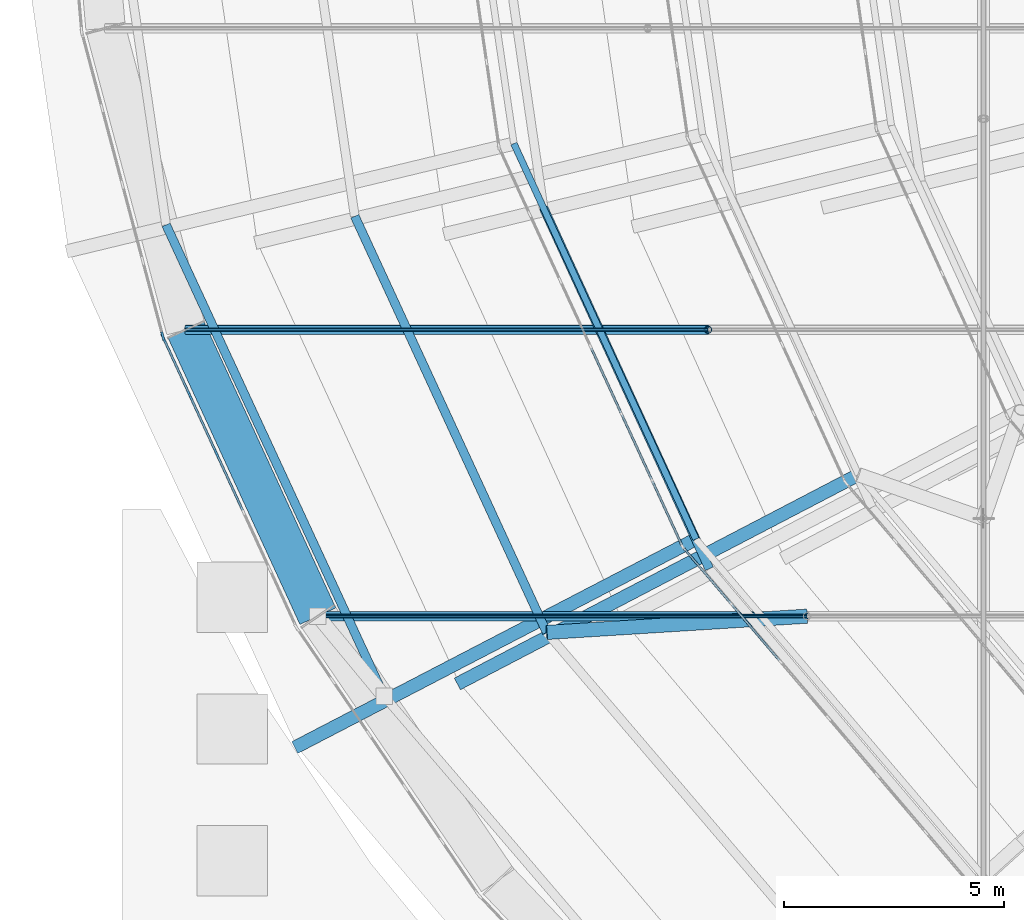
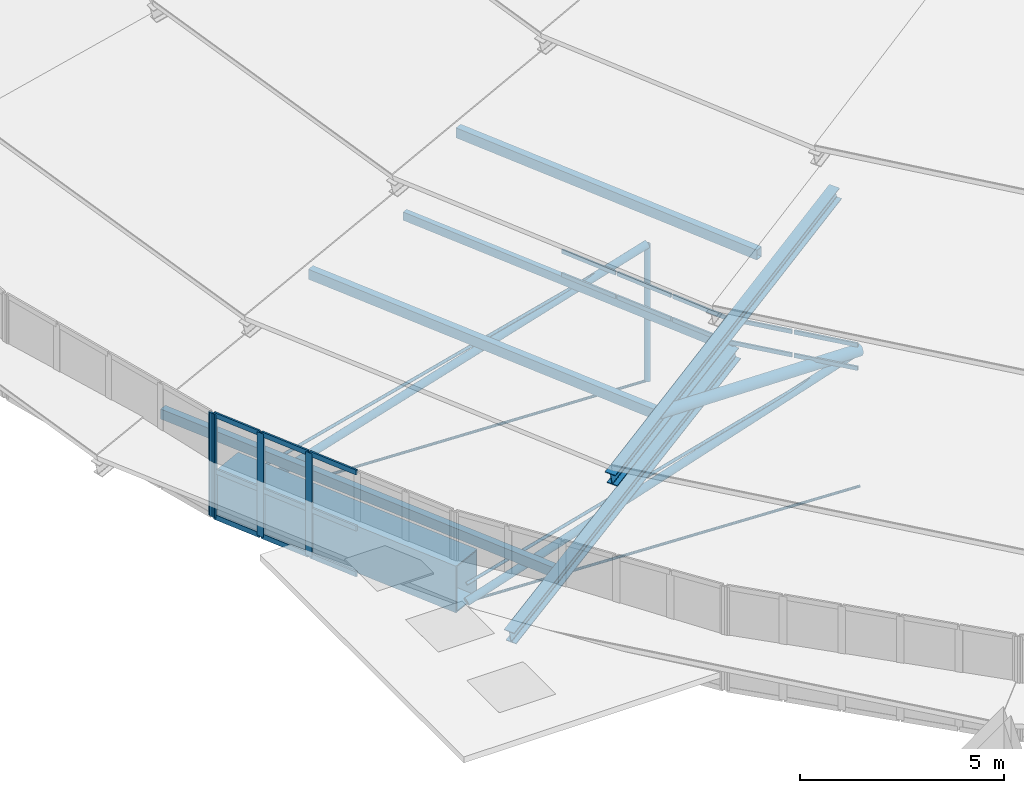
# One storey, part 4 of 173: 37 members, 1 beam, 4 elements without a shape of their own.
"""IFC4 building model written with IfcOpenShell, lengths in metres."""

from ifc_helpers import new_model, si_unit, direction, frame, origin, origin_2d, place, context, subcontext, project, spatial, rectangle, hollow_rectangle, circle, hollow_circle, i_section, extrude, material, material_profile, profile_set, type_object, element, aggregate, save


model = new_model("IFC4")

# Units and contexts
model_context = context("Model", 3, precision=1e-05, world=origin(), true_north=direction((0.0, 1.0)))
body_context = subcontext(model_context, "Body", "Model", "MODEL_VIEW")
ifc_project = project(units=[si_unit("LENGTHUNIT", "METRE"), si_unit("AREAUNIT", "SQUARE_METRE"), si_unit("VOLUMEUNIT", "CUBIC_METRE"), si_unit("PLANEANGLEUNIT", "RADIAN"), si_unit("MASSUNIT", "GRAM", prefix="KILO")], contexts=[model_context])

# Site, building, storey
site_placement = place(None, origin())
site = spatial("IfcSite", under=ifc_project, at=site_placement, CompositionType="ELEMENT")
building_placement = place(site_placement, origin())
building = spatial("IfcBuilding", under=site, at=building_placement, Name="Glasvene Arena", CompositionType="ELEMENT")
storey_placement = place(building_placement, frame((0.0, 0.0, 28.800048828125)))
storey = spatial("IfcBuildingStorey", under=building, at=storey_placement, Name="RF", CompositionType="ELEMENT", Elevation=28.800048828125)

# Beam
ifc_material_1 = material(Name="Steel S355J2", Category="steel")
ifc_material_profile_1 = material_profile(ifc_material_1, hollow_rectangle(XDim=0.89990234375, YDim=1.39990234375, WallThickness=0.034912109375, at=origin_2d()), Name="WBOX 900x1400x35")
ifc_profile_set_1 = profile_set([ifc_material_profile_1], Name="Steel S355J2")
beam_type = type_object("IfcBeamType", Name="BM-RING-BOX1400", PredefinedType="USERDEFINED", material=ifc_profile_set_1)
beam_placement = place(storey_placement, frame((44.447265625, 59.09423828125, -0.699951171875), z_axis=(0.418070582056, -0.908414546569, 0.0), x_axis=(0.908414546569, 0.418070582056, 0.0)))
element("IfcBeam", 1, at=beam_placement, inside=storey, type_object=beam_type, Name="Compression ring beam chord RB-23", ObjectType="RING BEAM", PredefinedType="USERDEFINED", context=body_context, shape_type="SweptSolid", body=[
    extrude(hollow_rectangle(XDim=0.89990234375, YDim=1.39990234375, WallThickness=0.034912109375, at=origin_2d()), origin(), (0.0, 0.0, 1.0), 7.181640625),
])

# Curtain wall, member
ifc_material_2 = material(Name="Low-emissivity laminated double glazing", Category="glass")
curtain_wall_type_1 = type_object("IfcCurtainWallType", Name="CW-DRUM-719x310", PredefinedType="USERDEFINED", material=ifc_material_2)
curtain_wall_1_placement = place(storey_placement, frame((42.072509765625, 65.87451171875, 0.0)))
curtain_wall_1 = element("IfcCurtainWall", 2, at=curtain_wall_1_placement, inside=storey, type_object=curtain_wall_type_1, Name="Crown compression-ring fascia curtain wall 22", ObjectType="CURTAIN WALL", PredefinedType="USERDEFINED")
ifc_material_3 = material(Name="Anodised architectural aluminium", Category="aluminium")
ifc_material_profile_2 = material_profile(ifc_material_3, rectangle(XDim=0.050048828125, YDim=0.199951171875, at=origin_2d()), Name="ALU MULLION 50x200")
ifc_profile_set_2 = profile_set([ifc_material_profile_2], Name="Anodised architectural aluminium")
member_type_1 = type_object("IfcMemberType", Name="CW-MUL-180", PredefinedType="MULLION", material=ifc_profile_set_2)
member_1_placement = place(storey_placement, frame((43.917724609375, 58.948486328125, -1.380126953125), z_axis=(0.0, 0.0, 1.0), x_axis=(0.966292374807, 0.257447172039, 0.0)))
member_1 = element("IfcMember", 3, at=member_1_placement, type_object=member_type_1, Name="CW-072 mullion 5", PredefinedType="MULLION", context=body_context, shape_type="SweptSolid", body=[
    extrude(rectangle(XDim=0.050048828125, YDim=0.199951171875, at=origin_2d()), origin(), (0.0, 0.0, 1.0), 3.10009765625),
])
aggregate(curtain_wall_1, [member_1])

# Curtain wall, members
curtain_wall_type_2 = type_object("IfcCurtainWallType", Name="CW-DRUM-727x310", PredefinedType="USERDEFINED", material=ifc_material_2)
curtain_wall_2_placement = place(storey_placement, frame((43.924072265625, 58.92431640625, 0.0)))
curtain_wall_2 = element("IfcCurtainWall", 4, at=curtain_wall_2_placement, inside=storey, type_object=curtain_wall_type_2, Name="Crown compression-ring fascia curtain wall 23", ObjectType="CURTAIN WALL", PredefinedType="USERDEFINED")
member_2_placement = place(storey_placement, frame((43.9345703125, 58.901611328125, -1.380126953125), z_axis=(0.0, 0.0, 1.0), x_axis=(0.908603046232, 0.417660752738, 0.0)))
member_2 = element("IfcMember", 5, at=member_2_placement, type_object=member_type_1, Name="CW-073 mullion 1", PredefinedType="MULLION", context=body_context, shape_type="SweptSolid", body=[
    extrude(rectangle(XDim=0.050048828125, YDim=0.199951171875, at=origin_2d()), origin(), (0.0, 0.0, 1.0), 3.10009765625),
])
member_3_placement = place(storey_placement, frame((44.53125, 57.603515625, -1.380126953125), z_axis=(0.0, 0.0, 1.0), x_axis=(0.908603046232, 0.417660752738, 0.0)))
member_3 = element("IfcMember", 6, at=member_3_placement, type_object=member_type_1, Name="CW-073 mullion 2", PredefinedType="MULLION", context=body_context, shape_type="SweptSolid", body=[
    extrude(rectangle(XDim=0.050048828125, YDim=0.199951171875, at=origin_2d()), origin(), (0.0, 0.0, 1.0), 3.10009765625),
])
member_4_placement = place(storey_placement, frame((45.13818359375, 56.282958984375, -1.380126953125), z_axis=(0.0, 0.0, 1.0), x_axis=(0.908603046232, 0.417660752738, 0.0)))
member_4 = element("IfcMember", 7, at=member_4_placement, type_object=member_type_1, Name="CW-073 mullion 3", PredefinedType="MULLION", context=body_context, shape_type="SweptSolid", body=[
    extrude(rectangle(XDim=0.050048828125, YDim=0.199951171875, at=origin_2d()), origin(), (0.0, 0.0, 1.0), 3.10009765625),
])

curtain_wall_type_3 = type_object("IfcCurtainWallType", Name="CW-PET1-1001x75", PredefinedType="USERDEFINED", material=ifc_material_2)
curtain_wall_3_placement = place(storey_placement, frame((51.575927734375, 63.242431640625, 0.0)))
curtain_wall_3 = element("IfcCurtainWall", 8, at=curtain_wall_3_placement, inside=storey, type_object=curtain_wall_type_3, Name="Petal ring 1-2 clerestory curtain wall 14", ObjectType="CURTAIN WALL", PredefinedType="USERDEFINED")
ifc_material_profile_3 = material_profile(ifc_material_3, rectangle(XDim=0.050048828125, YDim=0.1201171875, at=origin_2d()), Name="ALU TRANSOM 50x120")
ifc_profile_set_3 = profile_set([ifc_material_profile_3], Name="Anodised architectural aluminium")
member_type_2 = type_object("IfcMemberType", Name="CW-TRN-120", PredefinedType="USERDEFINED", material=ifc_profile_set_3)
member_5_placement = place(storey_placement, frame((53.6767578125, 58.673583984375, 2.60498046875), z_axis=(0.417823409802, -0.908528259451, 0.0), x_axis=(0.908528259451, 0.417823409802, 0.0)))
member_5 = element("IfcMember", 9, at=member_5_placement, type_object=member_type_2, Name="CW-082 transom 4.1", ObjectType="TRANSOM", PredefinedType="USERDEFINED", context=body_context, shape_type="SweptSolid", body=[
    extrude(rectangle(XDim=0.050048828125, YDim=0.1201171875, at=origin_2d()), origin(), (0.0, 0.0, 1.0), 1.617919921875),
])
member_6_placement = place(storey_placement, frame((53.6767578125, 58.673583984375, 3.304931640625), z_axis=(0.417823409802, -0.908528259451, 0.0), x_axis=(0.908528259451, 0.417823409802, 0.0)))
member_6 = element("IfcMember", 10, at=member_6_placement, type_object=member_type_2, Name="CW-082 transom 4.2", ObjectType="TRANSOM", PredefinedType="USERDEFINED", context=body_context, shape_type="SweptSolid", body=[
    extrude(rectangle(XDim=0.050048828125, YDim=0.1201171875, at=origin_2d()), origin(), (0.0, 0.0, 1.0), 1.617919921875),
])
member_7_placement = place(storey_placement, frame((54.37353515625, 57.158203125, 2.60498046875), z_axis=(0.417823409802, -0.908528259451, 0.0), x_axis=(0.908528259451, 0.417823409802, 0.0)))
member_7 = element("IfcMember", 11, at=member_7_placement, type_object=member_type_2, Name="CW-082 transom 5.1", ObjectType="TRANSOM", PredefinedType="USERDEFINED", context=body_context, shape_type="SweptSolid", body=[
    extrude(rectangle(XDim=0.050048828125, YDim=0.1201171875, at=origin_2d()), origin(), (0.0, 0.0, 1.0), 1.617919921875),
])
member_8_placement = place(storey_placement, frame((54.37353515625, 57.158203125, 3.304931640625), z_axis=(0.417823409802, -0.908528259451, 0.0), x_axis=(0.908528259451, 0.417823409802, 0.0)))
member_8 = element("IfcMember", 12, at=member_8_placement, type_object=member_type_2, Name="CW-082 transom 5.2", ObjectType="TRANSOM", PredefinedType="USERDEFINED", context=body_context, shape_type="SweptSolid", body=[
    extrude(rectangle(XDim=0.050048828125, YDim=0.1201171875, at=origin_2d()), origin(), (0.0, 0.0, 1.0), 1.617919921875),
])
member_9_placement = place(storey_placement, frame((55.070556640625, 55.642822265625, 2.60498046875), z_axis=(0.41760960728, -0.908626554701, 0.0), x_axis=(0.908626554701, 0.41760960728, 0.0)))
member_9 = element("IfcMember", 13, at=member_9_placement, type_object=member_type_2, Name="CW-082 transom 6.1", ObjectType="TRANSOM", PredefinedType="USERDEFINED", context=body_context, shape_type="SweptSolid", body=[
    extrude(rectangle(XDim=0.050048828125, YDim=0.1201171875, at=origin_2d()), origin(), (0.0, 0.0, 1.0), 1.593017578125),
])
member_10_placement = place(storey_placement, frame((55.070556640625, 55.642822265625, 3.304931640625), z_axis=(0.41760960728, -0.908626554701, 0.0), x_axis=(0.908626554701, 0.41760960728, 0.0)))
member_10 = element("IfcMember", 14, at=member_10_placement, type_object=member_type_2, Name="CW-082 transom 6.2", ObjectType="TRANSOM", PredefinedType="USERDEFINED", context=body_context, shape_type="SweptSolid", body=[
    extrude(rectangle(XDim=0.050048828125, YDim=0.1201171875, at=origin_2d()), origin(), (0.0, 0.0, 1.0), 1.593017578125),
])
aggregate(curtain_wall_3, [member_5, member_6, member_7, member_8, member_9, member_10])

curtain_wall_type_4 = type_object("IfcCurtainWallType", Name="CW-PET1-1026x75", PredefinedType="USERDEFINED", material=ifc_material_2)
curtain_wall_4_placement = place(storey_placement, frame((55.7568359375, 54.14990234375, 0.0)))
curtain_wall_4 = element("IfcCurtainWall", 15, at=curtain_wall_4_placement, inside=storey, type_object=curtain_wall_type_4, Name="Petal ring 1-2 clerestory curtain wall 15", ObjectType="CURTAIN WALL", PredefinedType="USERDEFINED")
member_11_placement = place(storey_placement, frame((55.789306640625, 54.11181640625, 2.60498046875), z_axis=(0.648463249482, -0.761245961613, 0.0), x_axis=(0.761245961613, 0.648463249482, 0.0)))
member_11 = element("IfcMember", 16, at=member_11_placement, type_object=member_type_2, Name="CW-083 transom 1.1", ObjectType="TRANSOM", PredefinedType="USERDEFINED", context=body_context, shape_type="SweptSolid", body=[
    extrude(rectangle(XDim=0.050048828125, YDim=0.1201171875, at=origin_2d()), origin(), (0.0, 0.0, 1.0), 1.63427734375),
])
member_12_placement = place(storey_placement, frame((55.789306640625, 54.11181640625, 3.304931640625), z_axis=(0.648463249482, -0.761245961613, 0.0), x_axis=(0.761245961613, 0.648463249482, 0.0)))
member_12 = element("IfcMember", 17, at=member_12_placement, type_object=member_type_2, Name="CW-083 transom 1.2", ObjectType="TRANSOM", PredefinedType="USERDEFINED", context=body_context, shape_type="SweptSolid", body=[
    extrude(rectangle(XDim=0.050048828125, YDim=0.1201171875, at=origin_2d()), origin(), (0.0, 0.0, 1.0), 1.63427734375),
])
member_13_placement = place(storey_placement, frame((56.881591796875, 52.82958984375, 2.60498046875), z_axis=(0.648425401794, -0.761278200337, 0.0), x_axis=(0.761278200337, 0.648425401794, 0.0)))
member_13 = element("IfcMember", 18, at=member_13_placement, type_object=member_type_2, Name="CW-083 transom 2.1", ObjectType="TRANSOM", PredefinedType="USERDEFINED", context=body_context, shape_type="SweptSolid", body=[
    extrude(rectangle(XDim=0.050048828125, YDim=0.1201171875, at=origin_2d()), origin(), (0.0, 0.0, 1.0), 1.6591796875),
])
member_14_placement = place(storey_placement, frame((56.881591796875, 52.82958984375, 3.304931640625), z_axis=(0.648425401794, -0.761278200337, 0.0), x_axis=(0.761278200337, 0.648425401794, 0.0)))
member_14 = element("IfcMember", 19, at=member_14_placement, type_object=member_type_2, Name="CW-083 transom 2.2", ObjectType="TRANSOM", PredefinedType="USERDEFINED", context=body_context, shape_type="SweptSolid", body=[
    extrude(rectangle(XDim=0.050048828125, YDim=0.1201171875, at=origin_2d()), origin(), (0.0, 0.0, 1.0), 1.6591796875),
])
aggregate(curtain_wall_4, [member_11, member_12, member_13, member_14])

# Member
ifc_material_profile_4 = material_profile(ifc_material_3, rectangle(XDim=0.050048828125, YDim=0.14990234375, at=origin_2d()), Name="ALU TRANSOM 50x150")
ifc_profile_set_4 = profile_set([ifc_material_profile_4], Name="Anodised architectural aluminium")
member_type_3 = type_object("IfcMemberType", Name="CW-TRN-150", PredefinedType="USERDEFINED", material=ifc_profile_set_4)
member_15_placement = place(storey_placement, frame((43.945068359375, 58.87890625, -1.35498046875), z_axis=(0.417575256607, -0.908642341667, 0.0), x_axis=(0.908642341667, 0.417575256607, 0.0)))
member_15 = element("IfcMember", 20, at=member_15_placement, type_object=member_type_3, Name="CW-073 transom 1.1", ObjectType="TRANSOM", PredefinedType="USERDEFINED", context=body_context, shape_type="SweptSolid", body=[
    extrude(rectangle(XDim=0.050048828125, YDim=0.14990234375, at=origin_2d()), origin(), (0.0, 0.0, 1.0), 1.378662109375),
])

member_16_placement = place(storey_placement, frame((43.945068359375, 58.87890625, 0.02001953125), z_axis=(0.417575256607, -0.908642341667, 0.0), x_axis=(0.908642341667, 0.417575256607, 0.0)))
member_16 = element("IfcMember", 21, at=member_16_placement, type_object=member_type_3, Name="CW-073 transom 1.2", ObjectType="TRANSOM", PredefinedType="USERDEFINED", context=body_context, shape_type="SweptSolid", body=[
    extrude(rectangle(XDim=0.050048828125, YDim=0.14990234375, at=origin_2d()), origin(), (0.0, 0.0, 1.0), 1.378662109375),
])

member_17_placement = place(storey_placement, frame((43.945068359375, 58.87890625, 1.695068359375), z_axis=(0.417575256607, -0.908642341667, 0.0), x_axis=(0.908642341667, 0.417575256607, 0.0)))
member_17 = element("IfcMember", 22, at=member_17_placement, type_object=member_type_3, Name="CW-073 transom 1.3", ObjectType="TRANSOM", PredefinedType="USERDEFINED", context=body_context, shape_type="SweptSolid", body=[
    extrude(rectangle(XDim=0.050048828125, YDim=0.14990234375, at=origin_2d()), origin(), (0.0, 0.0, 1.0), 1.378662109375),
])

member_18_placement = place(storey_placement, frame((44.541748046875, 57.580810546875, -1.35498046875), z_axis=(0.417678740372, -0.908594777578, 0.0), x_axis=(0.908594777578, 0.417678740372, 0.0)))
member_18 = element("IfcMember", 23, at=member_18_placement, type_object=member_type_3, Name="CW-073 transom 2.1", ObjectType="TRANSOM", PredefinedType="USERDEFINED", context=body_context, shape_type="SweptSolid", body=[
    extrude(rectangle(XDim=0.050048828125, YDim=0.14990234375, at=origin_2d()), origin(), (0.0, 0.0, 1.0), 1.4033203125),
])

member_19_placement = place(storey_placement, frame((44.541748046875, 57.580810546875, 0.02001953125), z_axis=(0.417678740372, -0.908594777578, 0.0), x_axis=(0.908594777578, 0.417678740372, 0.0)))
member_19 = element("IfcMember", 24, at=member_19_placement, type_object=member_type_3, Name="CW-073 transom 2.2", ObjectType="TRANSOM", PredefinedType="USERDEFINED", context=body_context, shape_type="SweptSolid", body=[
    extrude(rectangle(XDim=0.050048828125, YDim=0.14990234375, at=origin_2d()), origin(), (0.0, 0.0, 1.0), 1.4033203125),
])

member_20_placement = place(storey_placement, frame((44.541748046875, 57.580810546875, 1.695068359375), z_axis=(0.417678740372, -0.908594777578, 0.0), x_axis=(0.908594777578, 0.417678740372, 0.0)))
member_20 = element("IfcMember", 25, at=member_20_placement, type_object=member_type_3, Name="CW-073 transom 2.3", ObjectType="TRANSOM", PredefinedType="USERDEFINED", context=body_context, shape_type="SweptSolid", body=[
    extrude(rectangle(XDim=0.050048828125, YDim=0.14990234375, at=origin_2d()), origin(), (0.0, 0.0, 1.0), 1.4033203125),
])

member_21_placement = place(storey_placement, frame((45.148681640625, 56.26025390625, -1.35498046875), z_axis=(0.417612731634, -0.908625118724, 0.0), x_axis=(0.908625118724, 0.417612731634, 0.0)))
member_21 = element("IfcMember", 26, at=member_21_placement, type_object=member_type_3, Name="CW-073 transom 3.1", ObjectType="TRANSOM", PredefinedType="USERDEFINED", context=body_context, shape_type="SweptSolid", body=[
    extrude(rectangle(XDim=0.050048828125, YDim=0.14990234375, at=origin_2d()), origin(), (0.0, 0.0, 1.0), 1.403564453125),
])

member_22_placement = place(storey_placement, frame((45.148681640625, 56.26025390625, 0.02001953125), z_axis=(0.417612731634, -0.908625118724, 0.0), x_axis=(0.908625118724, 0.417612731634, 0.0)))
member_22 = element("IfcMember", 27, at=member_22_placement, type_object=member_type_3, Name="CW-073 transom 3.2", ObjectType="TRANSOM", PredefinedType="USERDEFINED", context=body_context, shape_type="SweptSolid", body=[
    extrude(rectangle(XDim=0.050048828125, YDim=0.14990234375, at=origin_2d()), origin(), (0.0, 0.0, 1.0), 1.403564453125),
])

member_23_placement = place(storey_placement, frame((45.148681640625, 56.26025390625, 1.695068359375), z_axis=(0.417612731634, -0.908625118724, 0.0), x_axis=(0.908625118724, 0.417612731634, 0.0)))
member_23 = element("IfcMember", 28, at=member_23_placement, type_object=member_type_3, Name="CW-073 transom 3.3", ObjectType="TRANSOM", PredefinedType="USERDEFINED", context=body_context, shape_type="SweptSolid", body=[
    extrude(rectangle(XDim=0.050048828125, YDim=0.14990234375, at=origin_2d()), origin(), (0.0, 0.0, 1.0), 1.403564453125),
])

aggregate(curtain_wall_2, [member_2, member_3, member_4, member_15, member_16, member_17, member_18, member_19, member_20, member_21, member_22, member_23])

# Members
ifc_material_4 = material(Name="High-strength steel spiral strand S460", Category="steel")
ifc_material_profile_5 = material_profile(ifc_material_4, circle(Radius=0.03759765625, at=origin_2d()), Name="LCSS D75")
ifc_profile_set_5 = profile_set([ifc_material_profile_5], Name="High-strength steel spiral strand S460")
member_type_4 = type_object("IfcMemberType", Name="MB-CABLE-75", PredefinedType="USERDEFINED", material=ifc_profile_set_5)
member_24_placement = place(storey_placement, frame((47.44970703125, 52.5703125, -1.320068359375), z_axis=(0.999244778277, 0.0, -0.038857085416), x_axis=(0.0, 1.0, 0.0)))
element("IfcMember", 29, at=member_24_placement, inside=storey, type_object=member_type_4, Name="Lower stabilization roof cable EW01-01", ObjectType="ROOF CABLE", PredefinedType="USERDEFINED", context=body_context, shape_type="SweptSolid", body=[
    extrude(circle(Radius=0.03759765625, at=origin_2d()), origin(), (0.0, 0.0, 1.0), 11.14599609375),
])
member_25_placement = place(storey_placement, frame((44.447265625, 59.09423828125, -1.320068359375), z_axis=(0.999337029386, 0.0, -0.036407440139), x_axis=(0.0, 1.0, 0.0)))
element("IfcMember", 30, at=member_25_placement, inside=storey, type_object=member_type_4, Name="Lower stabilization roof cable EW02-01", ObjectType="ROOF CABLE", PredefinedType="USERDEFINED", context=body_context, shape_type="SweptSolid", body=[
    extrude(circle(Radius=0.03759765625, at=origin_2d()), origin(), (0.0, 0.0, 1.0), 11.89599609375),
])
ifc_material_profile_6 = material_profile(ifc_material_4, circle(Radius=0.044921875, at=origin_2d()), Name="LCSS D90")
ifc_profile_set_6 = profile_set([ifc_material_profile_6], Name="High-strength steel spiral strand S460")
member_type_5 = type_object("IfcMemberType", Name="MB-CABLE-90", PredefinedType="USERDEFINED", material=ifc_profile_set_6)
member_26_placement = place(storey_placement, frame((47.44970703125, 52.5703125, -0.780029296875), z_axis=(0.96318079064, 0.0, 0.268854541605), x_axis=(0.0, 1.0, 0.0)))
element("IfcMember", 31, at=member_26_placement, inside=storey, type_object=member_type_5, Name="Upper lens roof cable EW01-01", ObjectType="ROOF CABLE", PredefinedType="USERDEFINED", context=body_context, shape_type="SweptSolid", body=[
    extrude(circle(Radius=0.044921875, at=origin_2d()), origin(), (0.0, 0.0, 1.0), 11.5634765625),
])
member_27_placement = place(storey_placement, frame((44.447265625, 59.09423828125, -0.780029296875), z_axis=(0.967465606965, 0.0, 0.253002567854), x_axis=(0.0, 1.0, 0.0)))
element("IfcMember", 32, at=member_27_placement, inside=storey, type_object=member_type_5, Name="Upper lens roof cable EW02-01", ObjectType="ROOF CABLE", PredefinedType="USERDEFINED", context=body_context, shape_type="SweptSolid", body=[
    extrude(circle(Radius=0.044921875, at=origin_2d()), origin(), (0.0, 0.0, 1.0), 12.2880859375),
])
ifc_material_profile_7 = material_profile(ifc_material_1, i_section(OverallWidth=0.300048828125, OverallDepth=0.39990234375, WebThickness=0.013427734375, FlangeThickness=0.02392578125, FilletRadius=0.027099609375, at=origin_2d()), Name="HEB 400")
ifc_profile_set_7 = profile_set([ifc_material_profile_7], Name="Steel S355J2")
member_type_6 = type_object("IfcMemberType", Name="MB-CHORD-HEB400", PredefinedType="CHORD", material=ifc_profile_set_7)
member_28_placement = place(storey_placement, frame((46.966796875, 49.60009765625, -0.400146484375), z_axis=(0.862078757918, 0.447935622671, 0.237010322748), x_axis=(-0.46107291245, 0.887362253764, 0.0)))
element("IfcMember", 33, at=member_28_placement, inside=storey, type_object=member_type_6, Name="Petal ring 1 radial rib 15", PredefinedType="CHORD", context=body_context, shape_type="SweptSolid", body=[
    extrude(i_section(OverallWidth=0.300048828125, OverallDepth=0.39990234375, WebThickness=0.013427734375, FlangeThickness=0.02392578125, FilletRadius=0.027099609375, at=origin_2d()), origin(), (0.0, 0.0, 1.0), 10.548095703125),
])
member_29_placement = place(storey_placement, frame((50.66943359375, 51.050048828125, 2.14990234375), z_axis=(0.860450517355, 0.448776022932, 0.241298546254), x_axis=(-0.46244071503, 0.886650204468, 0.0)))
element("IfcMember", 34, at=member_29_placement, inside=storey, type_object=member_type_6, Name="Petal ring 2 radial rib 15", PredefinedType="CHORD", context=body_context, shape_type="SweptSolid", body=[
    extrude(i_section(OverallWidth=0.300048828125, OverallDepth=0.39990234375, WebThickness=0.013427734375, FlangeThickness=0.02392578125, FilletRadius=0.027099609375, at=origin_2d()), origin(), (0.0, 0.0, 1.0), 10.568115234375),
])
ifc_material_profile_8 = material_profile(ifc_material_1, hollow_circle(Radius=0.161865234375, WallThickness=0.01611328125, at=origin_2d()), Name="CHS 323.9x16.0")
ifc_profile_set_8 = profile_set([ifc_material_profile_8], Name="Steel S355J2")
member_type_7 = type_object("IfcMemberType", Name="MB-POST-CHS324", PredefinedType="BRACE", material=ifc_profile_set_8)
member_30_placement = place(storey_placement, frame((58.58740234375, 52.5703125, 2.328857421875), z_axis=(-0.99579949427, -0.06223490433, 0.067157902695), x_axis=(0.062375726291, -0.998052738471, 0.0)))
element("IfcMember", 35, at=member_30_placement, inside=storey, type_object=member_type_7, Name="Petal ring 2 outer support post 15", PredefinedType="BRACE", context=body_context, shape_type="SweptSolid", body=[
    extrude(hollow_circle(Radius=0.161865234375, WallThickness=0.01611328125, at=origin_2d()), origin(), (0.0, 0.0, 1.0), 5.950927734375),
])
ifc_material_profile_9 = material_profile(ifc_material_1, hollow_rectangle(XDim=0.14990234375, YDim=0.25, WallThickness=0.010009765625, at=origin_2d()), Name="RHS 250x150x10.0")
ifc_profile_set_9 = profile_set([ifc_material_profile_9], Name="Steel S355J2")
member_type_8 = type_object("IfcMemberType", Name="MB-PURLIN-RHS250", PredefinedType="PURLIN", material=ifc_profile_set_9)
member_31_placement = place(storey_placement, frame((51.9140625, 63.3330078125, 2.181884765625), z_axis=(0.418096202574, -0.908402755056, 0.0), x_axis=(0.908402755056, 0.418096202574, 0.0)))
element("IfcMember", 36, at=member_31_placement, inside=storey, type_object=member_type_8, Name="Petal ring 1 ridge purlin 14", PredefinedType="PURLIN", context=body_context, shape_type="SweptSolid", body=[
    extrude(hollow_rectangle(XDim=0.14990234375, YDim=0.25, WallThickness=0.010009765625, at=origin_2d()), origin(), (0.0, 0.0, 1.0), 9.916259765625),
])
ifc_material_profile_10 = material_profile(ifc_material_1, hollow_rectangle(XDim=0.199951171875, YDim=0.300048828125, WallThickness=0.012451171875, at=origin_2d()), Name="RHS 300x200x12.5")
ifc_profile_set_10 = profile_set([ifc_material_profile_10], Name="Steel S355J2")
member_type_9 = type_object("IfcMemberType", Name="MB-PURLIN-RHS300", PredefinedType="PURLIN", material=ifc_profile_set_10)
member_32_placement = place(storey_placement, frame((43.993408203125, 61.482666015625, 0.16748046875), z_axis=(0.419863178839, -0.907587412349, 0.0), x_axis=(0.907587412349, 0.419863178839, 0.0)))
element("IfcMember", 37, at=member_32_placement, inside=storey, type_object=member_type_9, Name="Petal ring 1 outer purlin 14", PredefinedType="PURLIN", context=body_context, shape_type="SweptSolid", body=[
    extrude(hollow_rectangle(XDim=0.199951171875, YDim=0.300048828125, WallThickness=0.012451171875, at=origin_2d()), origin(), (0.0, 0.0, 1.0), 11.825439453125),
])
member_33_placement = place(storey_placement, frame((48.290771484375, 61.678466796875, 2.728515625), z_axis=(0.418734792983, -0.90810856903, 0.0), x_axis=(0.90810856903, 0.418734792983, 0.0)))
element("IfcMember", 38, at=member_33_placement, inside=storey, type_object=member_type_9, Name="Petal ring 2 outer purlin 14", PredefinedType="PURLIN", context=body_context, shape_type="SweptSolid", body=[
    extrude(hollow_rectangle(XDim=0.199951171875, YDim=0.300048828125, WallThickness=0.012451171875, at=origin_2d()), origin(), (0.0, 0.0, 1.0), 10.437744140625),
])
member_34_placement = place(storey_placement, frame((52.587890625, 61.874267578125, 5.33935546875), z_axis=(0.417281625524, -0.908777225177, 0.0), x_axis=(0.908777225177, 0.417281625524, 0.0)))
element("IfcMember", 39, at=member_34_placement, inside=storey, type_object=member_type_9, Name="Petal ring 3 outer purlin 14", PredefinedType="PURLIN", context=body_context, shape_type="SweptSolid", body=[
    extrude(hollow_rectangle(XDim=0.199951171875, YDim=0.300048828125, WallThickness=0.012451171875, at=origin_2d()), origin(), (0.0, 0.0, 1.0), 9.0498046875),
])
ifc_material_profile_11 = material_profile(ifc_material_1, hollow_circle(Radius=0.084228515625, WallThickness=0.008056640625, at=origin_2d()), Name="CHS 168.3x8.0")
ifc_profile_set_11 = profile_set([ifc_material_profile_11], Name="Steel S355J2")
member_type_10 = type_object("IfcMemberType", Name="MB-WEB-CHS168", PredefinedType="BRACE", material=ifc_profile_set_11)
member_35_placement = place(storey_placement, frame((56.33544921875, 59.09423828125, -1.753173828125), z_axis=(0.0, 0.0, 1.0), x_axis=(1.0, 0.0, 0.0)))
element("IfcMember", 40, at=member_35_placement, inside=storey, type_object=member_type_10, Name="Cable-truss vertical strut EW02-01", PredefinedType="BRACE", context=body_context, shape_type="SweptSolid", body=[
    extrude(hollow_circle(Radius=0.084228515625, WallThickness=0.008056640625, at=origin_2d()), origin(), (0.0, 0.0, 1.0), 4.08203125),
])
ifc_material_profile_12 = material_profile(ifc_material_1, hollow_circle(Radius=0.109619140625, WallThickness=0.010009765625, at=origin_2d()), Name="CHS 219.1x10.0")
ifc_profile_set_12 = profile_set([ifc_material_profile_12], Name="Steel S355J2")
member_type_11 = type_object("IfcMemberType", Name="MB-WEB-CHS219", PredefinedType="BRACE", material=ifc_profile_set_12)
member_36_placement = place(storey_placement, frame((47.44970703125, 52.5703125, -1.320068359375), z_axis=(0.950299677294, 0.0, 0.311336672004), x_axis=(0.0, 1.0, 0.0)))
element("IfcMember", 41, at=member_36_placement, inside=storey, type_object=member_type_11, Name="Cable-truss diagonal web strut EW01-01", PredefinedType="BRACE", context=body_context, shape_type="SweptSolid", body=[
    extrude(hollow_circle(Radius=0.109619140625, WallThickness=0.010009765625, at=origin_2d()), origin(), (0.0, 0.0, 1.0), 11.72021484375),
])
member_37_placement = place(storey_placement, frame((44.447265625, 59.09423828125, -1.320068359375), z_axis=(0.95598168508, 0.0, 0.29342634134), x_axis=(0.0, 1.0, 0.0)))
element("IfcMember", 42, at=member_37_placement, inside=storey, type_object=member_type_11, Name="Cable-truss diagonal web strut EW02-01", PredefinedType="BRACE", context=body_context, shape_type="SweptSolid", body=[
    extrude(hollow_circle(Radius=0.109619140625, WallThickness=0.010009765625, at=origin_2d()), origin(), (0.0, 0.0, 1.0), 12.435546875),
])

save(model, "model.ifc")
